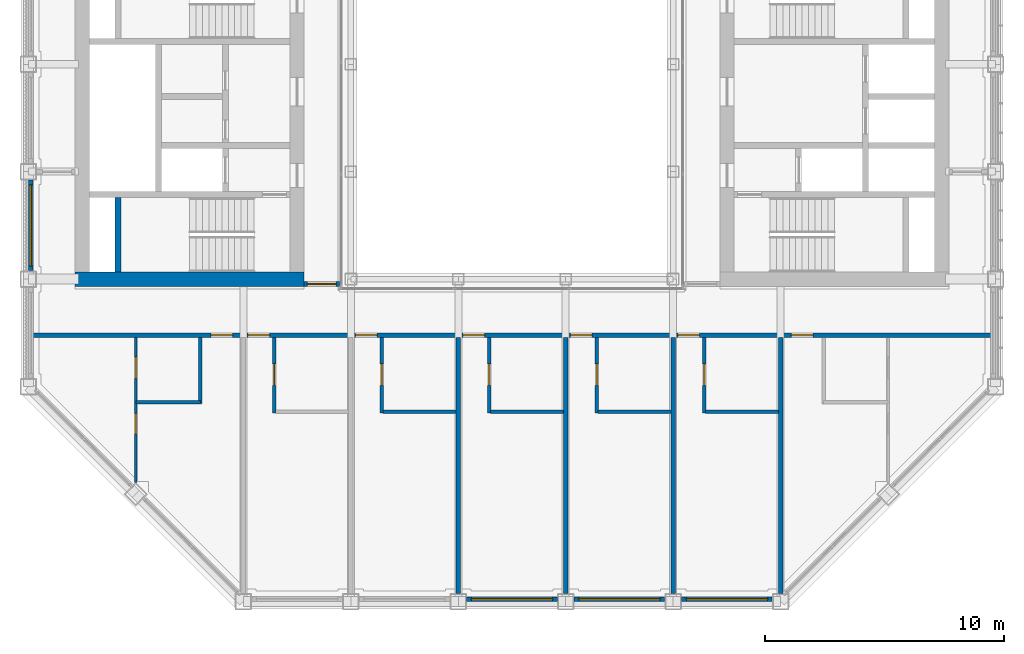
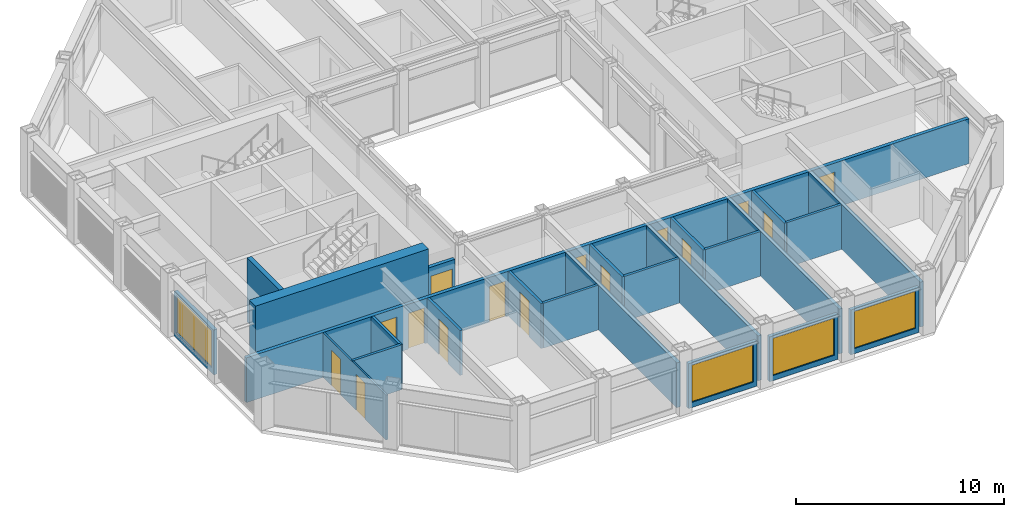
# One storey, part 9 of 18: 24 walls, 15 doors, 4 windows, 19 openings.
"""IFC4 building model written with IfcOpenShell, lengths in metres."""

from ifc_helpers import new_model, si_unit, direction, frame, frame_2d, origin, place, context, subcontext, project, spatial, rectangle, extrude, material, layer, layer_set, type_object, element, fill, save


model = new_model("IFC4")

# Units and contexts
model_context = context("Model", 3, precision=1e-05, world=origin(), true_north=direction((0.0, 1.0)))
body_context = subcontext(model_context, "Body", "Model", "MODEL_VIEW")
ifc_project = project(units=[si_unit("LENGTHUNIT", "METRE"), si_unit("AREAUNIT", "SQUARE_METRE"), si_unit("VOLUMEUNIT", "CUBIC_METRE"), si_unit("PLANEANGLEUNIT", "RADIAN"), si_unit("MASSUNIT", "GRAM", prefix="KILO")], contexts=[model_context])

# Site, building, storey
site_placement = place(None, origin())
site = spatial("IfcSite", under=ifc_project, at=site_placement, CompositionType="ELEMENT")
building_placement = place(site_placement, origin())
building = spatial("IfcBuilding", under=site, at=building_placement, Name="Msasa Ring Tower", CompositionType="ELEMENT")
storey_placement = place(building_placement, frame((0.0, 0.0, 200.800048828125)))
storey = spatial("IfcBuildingStorey", under=building, at=storey_placement, Name="L52", CompositionType="ELEMENT", Elevation=200.800048828125)

# Walls
ifc_material_1 = material(Name="Concrete C60/75", Category="concrete")
ifc_layer_1 = layer(ifc_material_1, 0.60009765625)
ifc_layer_set_1 = layer_set([ifc_layer_1], Name="CW3 CORE WALL 600")
wall_type_1 = type_object("IfcWallType", Name="CW3 CORE WALL 600", PredefinedType="SHEAR", material=ifc_layer_set_1)
wall_1_placement = place(storey_placement, frame((-8.699951171875, -6.75, 0.0), z_axis=(0.0, 0.0, 1.0), x_axis=(-1.0, 0.0, 0.0)))
element("IfcWall", 1, at=wall_1_placement, inside=storey, type_object=wall_type_1, Name="W core wall S L52", PredefinedType="SHEAR", context=body_context, shape_type="SweptSolid", body=[
    extrude(rectangle(XDim=9.60009765625, YDim=0.60009765625, at=frame_2d((4.800048828125, 0.0))), origin(), (0.0, 0.0, 1.0), 3.75),
])
ifc_material_2 = material(Name="Concrete C60/75", Category="concrete")
ifc_layer_2 = layer(ifc_material_2, 0.25)
ifc_layer_set_2 = layer_set([ifc_layer_2], Name="CW4 CORE INNER WALL 250")
wall_type_2 = type_object("IfcWallType", Name="CW4 CORE INNER WALL 250", PredefinedType="SHEAR", material=ifc_layer_set_2)
wall_2_placement = place(storey_placement, frame((-16.5, -6.449951171875, 0.0), z_axis=(0.0, 0.0, 1.0), x_axis=(0.0, 1.0, 0.0)))
element("IfcWall", 2, at=wall_2_placement, inside=storey, type_object=wall_type_2, Name="W core wall RISERA L52", PredefinedType="SHEAR", context=body_context, shape_type="SweptSolid", body=[
    extrude(rectangle(XDim=3.125, YDim=0.25, at=frame_2d((1.5625, 0.0))), origin(), (0.0, 0.0, 1.0), 3.75),
])

# Wall, opening, window
ifc_material_3 = material(Name="Terracotta rainscreen on blockwork", Category="masonry")
ifc_layer_3 = layer(ifc_material_3, 0.199951171875)
ifc_layer_set_3 = layer_set([ifc_layer_3], Name="FW1 TERRACOTTA-LINED INFILL BAY WALL 200")
wall_type_3 = type_object("IfcWallType", Name="FW1 TERRACOTTA-LINED INFILL BAY WALL 200", PredefinedType="SOLIDWALL", material=ifc_layer_set_3)
wall_3_placement = place(storey_placement, frame((-1.89501953125, -20.14990234375, 0.0), z_axis=(0.0, 0.0, 1.0), x_axis=(1.0, 0.0, 0.0)))
wall_3 = element("IfcWall", 3, at=wall_3_placement, inside=storey, type_object=wall_type_3, Name="Infill bay wall S L52 02", PredefinedType="SOLIDWALL", context=body_context, shape_type="SweptSolid", body=[
    extrude(rectangle(XDim=3.7900390625, YDim=0.199951171875, at=frame_2d((1.89501953125, 0.0))), origin(), (0.0, 0.0, 1.0), 2.62890625),
])
opening_1_placement = place(wall_3_placement, frame((0.195068359375, 0.0, 0.300048828125)))
opening_1 = element("IfcOpeningElement", 4, at=opening_1_placement, cuts=wall_3, Name="Opening WN3", PredefinedType="OPENING", context=body_context, shape_type="SweptSolid", body=[
    extrude(rectangle(XDim=3.39990234375, YDim=2.178955078125, at=frame_2d((1.699951171875, 1.08935546875))), frame((0.0, 0.10986328125, 0.0), z_axis=(0.0, -1.0, 0.0), x_axis=(1.0, 0.0, 0.0)), (0.0, 0.0, 1.0), 0.219970703125),
])
ifc_material_4 = material(Name="Aluminium frame with clear glass", Category="aluminium")
window_type = type_object("IfcWindowType", Name="WN3 SUITE WINDOW 3400x2179", PartitioningType="SINGLE_PANEL", PredefinedType="WINDOW", material=ifc_material_4)
window_1_placement = place(opening_1_placement, origin())
window_1 = element("IfcWindow", 5, at=window_1_placement, inside=storey, type_object=window_type, Name="Window S L52 02", OverallHeight=2.178955078125, OverallWidth=3.39990234375, PartitioningType="SINGLE_PANEL", PredefinedType="WINDOW", context=body_context, shape_type="SweptSolid", body=[
    extrude(rectangle(XDim=3.39990234375, YDim=2.178955078125, at=frame_2d((1.699951171875, 1.08935546875))), frame((0.0, 0.030029296875, 0.0), z_axis=(0.0, -1.0, 0.0), x_axis=(1.0, 0.0, 0.0)), (0.0, 0.0, 1.0), 0.06005859375),
])
fill(opening_1, window_1)

wall_4_placement = place(storey_placement, frame((2.60498046875, -20.14990234375, 0.0), z_axis=(0.0, 0.0, 1.0), x_axis=(1.0, 0.0, 0.0)))
wall_4 = element("IfcWall", 6, at=wall_4_placement, inside=storey, type_object=wall_type_3, Name="Infill bay wall S L52 03", PredefinedType="SOLIDWALL", context=body_context, shape_type="SweptSolid", body=[
    extrude(rectangle(XDim=3.7900390625, YDim=0.199951171875, at=frame_2d((1.89501953125, 0.0))), origin(), (0.0, 0.0, 1.0), 2.62890625),
])
opening_2_placement = place(wall_4_placement, frame((0.195068359375, 0.0, 0.300048828125)))
opening_2 = element("IfcOpeningElement", 7, at=opening_2_placement, cuts=wall_4, Name="Opening WN3", PredefinedType="OPENING", context=body_context, shape_type="SweptSolid", body=[
    extrude(rectangle(XDim=3.39990234375, YDim=2.178955078125, at=frame_2d((1.699951171875, 1.08935546875))), frame((0.0, 0.10986328125, 0.0), z_axis=(0.0, -1.0, 0.0), x_axis=(1.0, 0.0, 0.0)), (0.0, 0.0, 1.0), 0.219970703125),
])
window_2_placement = place(opening_2_placement, origin())
window_2 = element("IfcWindow", 8, at=window_2_placement, inside=storey, type_object=window_type, Name="Window S L52 03", OverallHeight=2.178955078125, OverallWidth=3.39990234375, PartitioningType="SINGLE_PANEL", PredefinedType="WINDOW", context=body_context, shape_type="SweptSolid", body=[
    extrude(rectangle(XDim=3.39990234375, YDim=2.178955078125, at=frame_2d((1.699951171875, 1.08935546875))), frame((0.0, 0.030029296875, 0.0), z_axis=(0.0, -1.0, 0.0), x_axis=(1.0, 0.0, 0.0)), (0.0, 0.0, 1.0), 0.06005859375),
])
fill(opening_2, window_2)

wall_5_placement = place(storey_placement, frame((7.10498046875, -20.14990234375, 0.0), z_axis=(0.0, 0.0, 1.0), x_axis=(1.0, 0.0, 0.0)))
wall_5 = element("IfcWall", 9, at=wall_5_placement, inside=storey, type_object=wall_type_3, Name="Infill bay wall S L52 04", PredefinedType="SOLIDWALL", context=body_context, shape_type="SweptSolid", body=[
    extrude(rectangle(XDim=3.7900390625, YDim=0.199951171875, at=frame_2d((1.89501953125, 0.0))), origin(), (0.0, 0.0, 1.0), 2.62890625),
])
opening_3_placement = place(wall_5_placement, frame((0.195068359375, 0.0, 0.300048828125)))
opening_3 = element("IfcOpeningElement", 10, at=opening_3_placement, cuts=wall_5, Name="Opening WN3", PredefinedType="OPENING", context=body_context, shape_type="SweptSolid", body=[
    extrude(rectangle(XDim=3.39990234375, YDim=2.178955078125, at=frame_2d((1.699951171875, 1.08935546875))), frame((0.0, 0.10986328125, 0.0), z_axis=(0.0, -1.0, 0.0), x_axis=(1.0, 0.0, 0.0)), (0.0, 0.0, 1.0), 0.219970703125),
])
window_3_placement = place(opening_3_placement, origin())
window_3 = element("IfcWindow", 11, at=window_3_placement, inside=storey, type_object=window_type, Name="Window S L52 04", OverallHeight=2.178955078125, OverallWidth=3.39990234375, PartitioningType="SINGLE_PANEL", PredefinedType="WINDOW", context=body_context, shape_type="SweptSolid", body=[
    extrude(rectangle(XDim=3.39990234375, YDim=2.178955078125, at=frame_2d((1.699951171875, 1.08935546875))), frame((0.0, 0.030029296875, 0.0), z_axis=(0.0, -1.0, 0.0), x_axis=(1.0, 0.0, 0.0)), (0.0, 0.0, 1.0), 0.06005859375),
])
fill(opening_3, window_3)

wall_6_placement = place(storey_placement, frame((-20.14990234375, -6.39501953125, 0.0), z_axis=(0.0, 0.0, 1.0), x_axis=(0.0, 1.0, 0.0)))
wall_6 = element("IfcWall", 12, at=wall_6_placement, inside=storey, type_object=wall_type_3, Name="Infill bay wall W L52 22", PredefinedType="SOLIDWALL", context=body_context, shape_type="SweptSolid", body=[
    extrude(rectangle(XDim=3.7900390625, YDim=0.199951171875, at=frame_2d((1.89501953125, 0.0))), origin(), (0.0, 0.0, 1.0), 2.62890625),
])
opening_4_placement = place(wall_6_placement, frame((0.195068359375, 0.0, 0.300048828125)))
opening_4 = element("IfcOpeningElement", 13, at=opening_4_placement, cuts=wall_6, Name="Opening WN3", PredefinedType="OPENING", context=body_context, shape_type="SweptSolid", body=[
    extrude(rectangle(XDim=3.39990234375, YDim=2.178955078125, at=frame_2d((1.699951171875, 1.08935546875))), frame((0.0, 0.10986328125, 0.0), z_axis=(0.0, -1.0, 0.0), x_axis=(1.0, 0.0, 0.0)), (0.0, 0.0, 1.0), 0.219970703125),
])
window_4_placement = place(opening_4_placement, origin())
window_4 = element("IfcWindow", 14, at=window_4_placement, inside=storey, type_object=window_type, Name="Window W L52 22", OverallHeight=2.178955078125, OverallWidth=3.39990234375, PartitioningType="SINGLE_PANEL", PredefinedType="WINDOW", context=body_context, shape_type="SweptSolid", body=[
    extrude(rectangle(XDim=3.39990234375, YDim=2.178955078125, at=frame_2d((1.699951171875, 1.08935546875))), frame((0.0, 0.030029296875, 0.0), z_axis=(0.0, -1.0, 0.0), x_axis=(1.0, 0.0, 0.0)), (0.0, 0.0, 1.0), 0.06005859375),
])
fill(opening_4, window_4)

# Wall, opening, door
ifc_material_5 = material(Name="Concrete blockwork", Category="masonry")
ifc_layer_4 = layer(ifc_material_5, 0.199951171875)
ifc_layer_set_4 = layer_set([ifc_layer_4], Name="PT1 CORRIDOR WALL 200")
wall_type_4 = type_object("IfcWallType", Name="PT1 CORRIDOR WALL 200", PredefinedType="PARTITIONING", material=ifc_layer_set_4)
wall_7_placement = place(storey_placement, frame((-8.699951171875, -6.949951171875, 0.0), z_axis=(0.0, 0.0, 1.0), x_axis=(1.0, 0.0, 0.0)))
wall_7 = element("IfcWall", 15, at=wall_7_placement, inside=storey, type_object=wall_type_4, Name="Corridor wall L52-SDWS", PredefinedType="PARTITIONING", context=body_context, shape_type="SweptSolid", body=[
    extrude(rectangle(XDim=1.469970703125, YDim=0.199951171875, at=frame_2d((0.73486328125, 0.0))), origin(), (0.0, 0.0, 1.0), 2.62890625),
])
opening_5_placement = place(wall_7_placement, frame((0.135009765625, 0.0, 0.0)))
opening_5 = element("IfcOpeningElement", 16, at=opening_5_placement, cuts=wall_7, Name="Opening SA-031", PredefinedType="OPENING", context=body_context, shape_type="SweptSolid", body=[
    extrude(rectangle(XDim=1.199951171875, YDim=2.10009765625, at=frame_2d((0.60009765625, 1.050048828125))), frame((0.0, 0.10986328125, 0.0), z_axis=(0.0, -1.0, 0.0), x_axis=(1.0, 0.0, 0.0)), (0.0, 0.0, 1.0), 0.219970703125),
])
ifc_material_6 = material(Name="Timber door leaf in a steel frame", Category="steel")
door_type_1 = type_object("IfcDoorType", Name="D25 CORRIDOR PAIR OF SMOKE DOORS 1200x2100", OperationType="DOUBLE_DOOR_DOUBLE_SWING", PredefinedType="DOOR", material=ifc_material_6)
door_1_placement = place(opening_5_placement, origin())
door_1 = element("IfcDoor", 17, at=door_1_placement, inside=storey, type_object=door_type_1, Name="Door L52-SDWS", OperationType="DOUBLE_DOOR_DOUBLE_SWING", OverallHeight=2.10009765625, OverallWidth=1.199951171875, PredefinedType="DOOR", context=body_context, shape_type="SweptSolid", body=[
    extrude(rectangle(XDim=1.199951171875, YDim=2.10009765625, at=frame_2d((0.60009765625, 1.050048828125))), frame((0.0, 0.02490234375, 0.0), z_axis=(0.0, -1.0, 0.0), x_axis=(1.0, 0.0, 0.0)), (0.0, 0.0, 1.0), 0.050048828125),
])
fill(opening_5, door_1)

# Wall, openings, doors
wall_8_placement = place(storey_placement, frame((-20.050048828125, -9.10009765625, 0.0), z_axis=(0.0, 0.0, 1.0), x_axis=(1.0, 0.0, 0.0)))
wall_8 = element("IfcWall", 18, at=wall_8_placement, inside=storey, type_object=wall_type_4, Name="Corridor wall L52-CORRS0", PredefinedType="PARTITIONING", context=body_context, shape_type="SweptSolid", body=[
    extrude(rectangle(XDim=40.10009765625, YDim=0.199951171875, at=frame_2d((20.050048828125, 0.0))), origin(), (0.0, 0.0, 1.0), 2.62890625),
])
opening_6_placement = place(wall_8_placement, frame((9.0, 0.0, 0.0)))
opening_6 = element("IfcOpeningElement", 19, at=opening_6_placement, cuts=wall_8, Name="Opening SA-034", PredefinedType="OPENING", context=body_context, shape_type="SweptSolid", body=[
    extrude(rectangle(XDim=0.89990234375, YDim=2.10009765625, at=frame_2d((0.449951171875, 1.050048828125))), frame((0.0, 0.10986328125, 0.0), z_axis=(0.0, -1.0, 0.0), x_axis=(1.0, 0.0, 0.0)), (0.0, 0.0, 1.0), 0.219970703125),
])
opening_7_placement = place(wall_8_placement, frame((13.5, 0.0, 0.0)))
opening_7 = element("IfcOpeningElement", 20, at=opening_7_placement, cuts=wall_8, Name="Opening SA-035", PredefinedType="OPENING", context=body_context, shape_type="SweptSolid", body=[
    extrude(rectangle(XDim=0.89990234375, YDim=2.10009765625, at=frame_2d((0.449951171875, 1.050048828125))), frame((0.0, 0.10986328125, 0.0), z_axis=(0.0, -1.0, 0.0), x_axis=(1.0, 0.0, 0.0)), (0.0, 0.0, 1.0), 0.219970703125),
])
opening_8_placement = place(wall_8_placement, frame((18.0, 0.0, 0.0)))
opening_8 = element("IfcOpeningElement", 21, at=opening_8_placement, cuts=wall_8, Name="Opening SA-036", PredefinedType="OPENING", context=body_context, shape_type="SweptSolid", body=[
    extrude(rectangle(XDim=0.89990234375, YDim=2.10009765625, at=frame_2d((0.449951171875, 1.050048828125))), frame((0.0, 0.10986328125, 0.0), z_axis=(0.0, -1.0, 0.0), x_axis=(1.0, 0.0, 0.0)), (0.0, 0.0, 1.0), 0.219970703125),
])
opening_9_placement = place(wall_8_placement, frame((22.5, 0.0, 0.0)))
opening_9 = element("IfcOpeningElement", 22, at=opening_9_placement, cuts=wall_8, Name="Opening SA-037", PredefinedType="OPENING", context=body_context, shape_type="SweptSolid", body=[
    extrude(rectangle(XDim=0.89990234375, YDim=2.10009765625, at=frame_2d((0.449951171875, 1.050048828125))), frame((0.0, 0.10986328125, 0.0), z_axis=(0.0, -1.0, 0.0), x_axis=(1.0, 0.0, 0.0)), (0.0, 0.0, 1.0), 0.219970703125),
])
opening_10_placement = place(wall_8_placement, frame((27.0, 0.0, 0.0)))
opening_10 = element("IfcOpeningElement", 23, at=opening_10_placement, cuts=wall_8, Name="Opening SA-038", PredefinedType="OPENING", context=body_context, shape_type="SweptSolid", body=[
    extrude(rectangle(XDim=0.89990234375, YDim=2.10009765625, at=frame_2d((0.449951171875, 1.050048828125))), frame((0.0, 0.10986328125, 0.0), z_axis=(0.0, -1.0, 0.0), x_axis=(1.0, 0.0, 0.0)), (0.0, 0.0, 1.0), 0.219970703125),
])
opening_11_placement = place(wall_8_placement, frame((31.75, 0.0, 0.0)))
opening_11 = element("IfcOpeningElement", 24, at=opening_11_placement, cuts=wall_8, Name="Opening SA-039", PredefinedType="OPENING", context=body_context, shape_type="SweptSolid", body=[
    extrude(rectangle(XDim=0.89990234375, YDim=2.10009765625, at=frame_2d((0.449951171875, 1.050048828125))), frame((0.0, 0.10986328125, 0.0), z_axis=(0.0, -1.0, 0.0), x_axis=(1.0, 0.0, 0.0)), (0.0, 0.0, 1.0), 0.219970703125),
])
opening_12_placement = place(wall_8_placement, frame((7.449951171875, 0.0, 0.0)))
opening_12 = element("IfcOpeningElement", 25, at=opening_12_placement, cuts=wall_8, Name="Opening SA-033", PredefinedType="OPENING", context=body_context, shape_type="SweptSolid", body=[
    extrude(rectangle(XDim=0.89990234375, YDim=2.10009765625, at=frame_2d((0.449951171875, 1.050048828125))), frame((0.0, 0.10986328125, 0.0), z_axis=(0.0, -1.0, 0.0), x_axis=(1.0, 0.0, 0.0)), (0.0, 0.0, 1.0), 0.219970703125),
])
ifc_material_7 = material(Name="Timber door leaf in a steel frame", Category="steel")
door_type_2 = type_object("IfcDoorType", Name="D1 SINGLE DOOR TO CORRIDOR 900x2100", OperationType="SINGLE_SWING_LEFT", PredefinedType="DOOR", material=ifc_material_7)
door_2_placement = place(opening_6_placement, origin())
door_2 = element("IfcDoor", 26, at=door_2_placement, inside=storey, type_object=door_type_2, Name="Door L52-JS00", OperationType="SINGLE_SWING_LEFT", OverallHeight=2.10009765625, OverallWidth=0.89990234375, PredefinedType="DOOR", context=body_context, shape_type="SweptSolid", body=[
    extrude(rectangle(XDim=0.89990234375, YDim=2.10009765625, at=frame_2d((0.449951171875, 1.050048828125))), frame((0.0, 0.02490234375, 0.0), z_axis=(0.0, -1.0, 0.0), x_axis=(1.0, 0.0, 0.0)), (0.0, 0.0, 1.0), 0.050048828125),
])
fill(opening_6, door_2)
door_3_placement = place(opening_7_placement, origin())
door_3 = element("IfcDoor", 27, at=door_3_placement, inside=storey, type_object=door_type_2, Name="Door L52-JS01", OperationType="SINGLE_SWING_LEFT", OverallHeight=2.10009765625, OverallWidth=0.89990234375, PredefinedType="DOOR", context=body_context, shape_type="SweptSolid", body=[
    extrude(rectangle(XDim=0.89990234375, YDim=2.10009765625, at=frame_2d((0.449951171875, 1.050048828125))), frame((0.0, 0.02490234375, 0.0), z_axis=(0.0, -1.0, 0.0), x_axis=(1.0, 0.0, 0.0)), (0.0, 0.0, 1.0), 0.050048828125),
])
fill(opening_7, door_3)
door_4_placement = place(opening_8_placement, origin())
door_4 = element("IfcDoor", 28, at=door_4_placement, inside=storey, type_object=door_type_2, Name="Door L52-JS02", OperationType="SINGLE_SWING_LEFT", OverallHeight=2.10009765625, OverallWidth=0.89990234375, PredefinedType="DOOR", context=body_context, shape_type="SweptSolid", body=[
    extrude(rectangle(XDim=0.89990234375, YDim=2.10009765625, at=frame_2d((0.449951171875, 1.050048828125))), frame((0.0, 0.02490234375, 0.0), z_axis=(0.0, -1.0, 0.0), x_axis=(1.0, 0.0, 0.0)), (0.0, 0.0, 1.0), 0.050048828125),
])
fill(opening_8, door_4)
door_5_placement = place(opening_9_placement, origin())
door_5 = element("IfcDoor", 29, at=door_5_placement, inside=storey, type_object=door_type_2, Name="Door L52-JS03", OperationType="SINGLE_SWING_RIGHT", OverallHeight=2.10009765625, OverallWidth=0.89990234375, PredefinedType="DOOR", context=body_context, shape_type="SweptSolid", body=[
    extrude(rectangle(XDim=0.89990234375, YDim=2.10009765625, at=frame_2d((0.449951171875, 1.050048828125))), frame((0.0, 0.02490234375, 0.0), z_axis=(0.0, -1.0, 0.0), x_axis=(1.0, 0.0, 0.0)), (0.0, 0.0, 1.0), 0.050048828125),
])
fill(opening_9, door_5)
door_6_placement = place(opening_10_placement, origin())
door_6 = element("IfcDoor", 30, at=door_6_placement, inside=storey, type_object=door_type_2, Name="Door L52-JS04", OperationType="SINGLE_SWING_RIGHT", OverallHeight=2.10009765625, OverallWidth=0.89990234375, PredefinedType="DOOR", context=body_context, shape_type="SweptSolid", body=[
    extrude(rectangle(XDim=0.89990234375, YDim=2.10009765625, at=frame_2d((0.449951171875, 1.050048828125))), frame((0.0, 0.02490234375, 0.0), z_axis=(0.0, -1.0, 0.0), x_axis=(1.0, 0.0, 0.0)), (0.0, 0.0, 1.0), 0.050048828125),
])
fill(opening_10, door_6)
ifc_material_8 = material(Name="Timber door leaf in a steel frame", Category="steel")
door_type_3 = type_object("IfcDoorType", Name="D2 ENTRANCE DOOR 900x2100", OperationType="SINGLE_SWING_LEFT", PredefinedType="DOOR", material=ifc_material_8)
door_7_placement = place(opening_11_placement, origin())
door_7 = element("IfcDoor", 31, at=door_7_placement, inside=storey, type_object=door_type_3, Name="Door L52-CSSE", OperationType="SINGLE_SWING_RIGHT", OverallHeight=2.10009765625, OverallWidth=0.89990234375, PredefinedType="DOOR", context=body_context, shape_type="SweptSolid", body=[
    extrude(rectangle(XDim=0.89990234375, YDim=2.10009765625, at=frame_2d((0.449951171875, 1.050048828125))), frame((0.0, 0.02490234375, 0.0), z_axis=(0.0, -1.0, 0.0), x_axis=(1.0, 0.0, 0.0)), (0.0, 0.0, 1.0), 0.050048828125),
])
fill(opening_11, door_7)
door_8_placement = place(opening_12_placement, origin())
door_8 = element("IfcDoor", 32, at=door_8_placement, inside=storey, type_object=door_type_3, Name="Door L52-CSSW", OperationType="SINGLE_SWING_LEFT", OverallHeight=2.10009765625, OverallWidth=0.89990234375, PredefinedType="DOOR", context=body_context, shape_type="SweptSolid", body=[
    extrude(rectangle(XDim=0.89990234375, YDim=2.10009765625, at=frame_2d((0.449951171875, 1.050048828125))), frame((0.0, 0.02490234375, 0.0), z_axis=(0.0, -1.0, 0.0), x_axis=(1.0, 0.0, 0.0)), (0.0, 0.0, 1.0), 0.050048828125),
])
fill(opening_12, door_8)

ifc_material_9 = material(Name="Gypsum board on steel studs", Category="steel")
ifc_layer_5 = layer(ifc_material_9, 0.10009765625)
ifc_layer_set_5 = layer_set([ifc_layer_5], Name="PT2 STUD PARTITION 100")
wall_type_5 = type_object("IfcWallType", Name="PT2 STUD PARTITION 100", PredefinedType="PARTITIONING", material=ifc_layer_set_5)
wall_9_placement = place(storey_placement, frame((-15.75, -15.2548828125, 0.0), z_axis=(0.0, 0.0, 1.0), x_axis=(0.0, 1.0, 0.0)))
wall_9 = element("IfcWall", 33, at=wall_9_placement, inside=storey, type_object=wall_type_5, Name="Partition L52-CSSWP1", PredefinedType="PARTITIONING", context=body_context, shape_type="SweptSolid", body=[
    extrude(rectangle(XDim=6.054931640625, YDim=0.10009765625, at=frame_2d((3.02734375, 0.0))), origin(), (0.0, 0.0, 1.0), 2.62890625),
])
opening_13_placement = place(wall_9_placement, frame((2.030029296875, 0.0, 0.0)))
opening_13 = element("IfcOpeningElement", 34, at=opening_13_placement, cuts=wall_9, Name="Opening SA-047", PredefinedType="OPENING", context=body_context, shape_type="SweptSolid", body=[
    extrude(rectangle(XDim=0.85009765625, YDim=2.10009765625, at=frame_2d((0.425048828125, 1.050048828125))), frame((0.0, 0.06005859375, 0.0), z_axis=(0.0, -1.0, 0.0), x_axis=(1.0, 0.0, 0.0)), (0.0, 0.0, 1.0), 0.1201171875),
])
opening_14_placement = place(wall_9_placement, frame((4.35498046875, 0.0, 0.0)))
opening_14 = element("IfcOpeningElement", 35, at=opening_14_placement, cuts=wall_9, Name="Opening SA-040", PredefinedType="OPENING", context=body_context, shape_type="SweptSolid", body=[
    extrude(rectangle(XDim=0.89990234375, YDim=2.10009765625, at=frame_2d((0.449951171875, 1.050048828125))), frame((0.0, 0.06005859375, 0.0), z_axis=(0.0, -1.0, 0.0), x_axis=(1.0, 0.0, 0.0)), (0.0, 0.0, 1.0), 0.1201171875),
])
ifc_material_10 = material(Name="Timber door leaf in a steel frame", Category="steel")
door_type_4 = type_object("IfcDoorType", Name="D14 BEDROOM DOOR 850x2100", OperationType="SINGLE_SWING_LEFT", PredefinedType="DOOR", material=ifc_material_10)
door_9_placement = place(opening_13_placement, origin())
door_9 = element("IfcDoor", 36, at=door_9_placement, inside=storey, type_object=door_type_4, Name="Door L52-CSSWR1", OperationType="SINGLE_SWING_LEFT", OverallHeight=2.10009765625, OverallWidth=0.85009765625, PredefinedType="DOOR", context=body_context, shape_type="SweptSolid", body=[
    extrude(rectangle(XDim=0.85009765625, YDim=2.10009765625, at=frame_2d((0.425048828125, 1.050048828125))), frame((0.0, 0.02490234375, 0.0), z_axis=(0.0, -1.0, 0.0), x_axis=(1.0, 0.0, 0.0)), (0.0, 0.0, 1.0), 0.050048828125),
])
fill(opening_13, door_9)
ifc_material_11 = material(Name="Timber door leaf in a steel frame", Category="steel")
door_type_5 = type_object("IfcDoorType", Name="D3 BATHROOM DOOR 900x2100", OperationType="SINGLE_SWING_LEFT", PredefinedType="DOOR", material=ifc_material_11)
door_10_placement = place(opening_14_placement, origin())
door_10 = element("IfcDoor", 37, at=door_10_placement, inside=storey, type_object=door_type_5, Name="Door L52-CSSWB1", OperationType="SINGLE_SWING_RIGHT", OverallHeight=2.10009765625, OverallWidth=0.89990234375, PredefinedType="DOOR", context=body_context, shape_type="SweptSolid", body=[
    extrude(rectangle(XDim=0.89990234375, YDim=2.10009765625, at=frame_2d((0.449951171875, 1.050048828125))), frame((0.0, 0.02490234375, 0.0), z_axis=(0.0, -1.0, 0.0), x_axis=(1.0, 0.0, 0.0)), (0.0, 0.0, 1.0), 0.050048828125),
])
fill(opening_14, door_10)

# Walls
ifc_material_12 = material(Name="Dense concrete blockwork, plastered both faces", Category="masonry")
ifc_layer_6 = layer(ifc_material_12, 0.25)
ifc_layer_set_6 = layer_set([ifc_layer_6], Name="PT3 APARTMENT SEPARATING WALL 250")
wall_type_6 = type_object("IfcWallType", Name="PT3 APARTMENT SEPARATING WALL 250", PredefinedType="PARTITIONING", material=ifc_layer_set_6)
for number, where, z_axis, x_axis, name in (
    (38, (-2.25, -19.89990234375, 0.0), (0.0, 0.0, 1.0), (0.0, 1.0, 0.0), "Party wall L52-PWS-2.25"),
    (39, (2.25, -19.89990234375, 0.0), (0.0, 0.0, 1.0), (0.0, 1.0, 0.0), "Party wall L52-PWS+2.25"),
    (40, (6.75, -19.89990234375, 0.0), (0.0, 0.0, 1.0), (0.0, 1.0, 0.0), "Party wall L52-PWS+6.75"),
    (41, (11.25, -19.89990234375, 0.0), (0.0, 0.0, 1.0), (0.0, 1.0, 0.0), "Party wall L52-PWS+11.25"),
):
    element("IfcWall", number, at=place(storey_placement, frame(where, z_axis=z_axis, x_axis=x_axis)), inside=storey, type_object=wall_type_6, Name=name, PredefinedType="PARTITIONING", context=body_context, shape_type="SweptSolid", body=[
        extrude(rectangle(XDim=10.699951171875, YDim=0.199951171875, at=frame_2d((5.35009765625, 0.0))), origin(), (0.0, 0.0, 1.0), 2.62890625),
    ])

# Wall, opening, door
ifc_material_13 = material(Name="Moisture-resistant board on steel studs with a concealed cistern and pipe void, tiled", Category="steel")
ifc_layer_7 = layer(ifc_material_13, 0.14990234375)
ifc_layer_set_7 = layer_set([ifc_layer_7], Name="PT4 BATHROOM WET WALL 150")
wall_type_7 = type_object("IfcWallType", Name="PT4 BATHROOM WET WALL 150", PredefinedType="PARTITIONING", material=ifc_layer_set_7)
wall_10_placement = place(storey_placement, frame((-9.949951171875, -12.35009765625, 0.0), z_axis=(0.0, 0.0, 1.0), x_axis=(0.0, 1.0, 0.0)))
wall_10 = element("IfcWall", 42, at=wall_10_placement, inside=storey, type_object=wall_type_7, Name="Partition L52-JS00BX", PredefinedType="PARTITIONING", context=body_context, shape_type="SweptSolid", body=[
    extrude(rectangle(XDim=3.150146484375, YDim=0.14990234375, at=frame_2d((1.5751953125, 0.0))), origin(), (0.0, 0.0, 1.0), 2.62890625),
])
opening_15_placement = place(wall_10_placement, frame((1.14990234375, 0.0, 0.0)))
opening_15 = element("IfcOpeningElement", 43, at=opening_15_placement, cuts=wall_10, Name="Opening SA-042", PredefinedType="OPENING", context=body_context, shape_type="SweptSolid", body=[
    extrude(rectangle(XDim=0.89990234375, YDim=2.10009765625, at=frame_2d((0.449951171875, 1.050048828125))), frame((0.0, 0.0849609375, 0.0), z_axis=(0.0, -1.0, 0.0), x_axis=(1.0, 0.0, 0.0)), (0.0, 0.0, 1.0), 0.169921875),
])
door_11_placement = place(opening_15_placement, origin())
door_11 = element("IfcDoor", 44, at=door_11_placement, inside=storey, type_object=door_type_5, Name="Door L52-JS00B", OperationType="SINGLE_SWING_LEFT", OverallHeight=2.10009765625, OverallWidth=0.89990234375, PredefinedType="DOOR", context=body_context, shape_type="SweptSolid", body=[
    extrude(rectangle(XDim=0.89990234375, YDim=2.10009765625, at=frame_2d((0.449951171875, 1.050048828125))), frame((0.0, 0.02490234375, 0.0), z_axis=(0.0, -1.0, 0.0), x_axis=(1.0, 0.0, 0.0)), (0.0, 0.0, 1.0), 0.050048828125),
])
fill(opening_15, door_11)

wall_11_placement = place(storey_placement, frame((-5.449951171875, -12.35009765625, 0.0), z_axis=(0.0, 0.0, 1.0), x_axis=(0.0, 1.0, 0.0)))
wall_11 = element("IfcWall", 45, at=wall_11_placement, inside=storey, type_object=wall_type_7, Name="Partition L52-JS01BX", PredefinedType="PARTITIONING", context=body_context, shape_type="SweptSolid", body=[
    extrude(rectangle(XDim=3.150146484375, YDim=0.14990234375, at=frame_2d((1.5751953125, 0.0))), origin(), (0.0, 0.0, 1.0), 2.62890625),
])
opening_16_placement = place(wall_11_placement, frame((1.14990234375, 0.0, 0.0)))
opening_16 = element("IfcOpeningElement", 46, at=opening_16_placement, cuts=wall_11, Name="Opening SA-043", PredefinedType="OPENING", context=body_context, shape_type="SweptSolid", body=[
    extrude(rectangle(XDim=0.89990234375, YDim=2.10009765625, at=frame_2d((0.449951171875, 1.050048828125))), frame((0.0, 0.0849609375, 0.0), z_axis=(0.0, -1.0, 0.0), x_axis=(1.0, 0.0, 0.0)), (0.0, 0.0, 1.0), 0.169921875),
])
door_12_placement = place(opening_16_placement, origin())
door_12 = element("IfcDoor", 47, at=door_12_placement, inside=storey, type_object=door_type_5, Name="Door L52-JS01B", OperationType="SINGLE_SWING_LEFT", OverallHeight=2.10009765625, OverallWidth=0.89990234375, PredefinedType="DOOR", context=body_context, shape_type="SweptSolid", body=[
    extrude(rectangle(XDim=0.89990234375, YDim=2.10009765625, at=frame_2d((0.449951171875, 1.050048828125))), frame((0.0, 0.02490234375, 0.0), z_axis=(0.0, -1.0, 0.0), x_axis=(1.0, 0.0, 0.0)), (0.0, 0.0, 1.0), 0.050048828125),
])
fill(opening_16, door_12)

# Wall
wall_12_placement = place(storey_placement, frame((-5.39990234375, -12.300048828125, 0.0), z_axis=(0.0, 0.0, 1.0), x_axis=(1.0, 0.0, 0.0)))
element("IfcWall", 48, at=wall_12_placement, inside=storey, type_object=wall_type_7, Name="Partition L52-JS01BY", PredefinedType="PARTITIONING", context=body_context, shape_type="SweptSolid", body=[
    extrude(rectangle(XDim=3.0498046875, YDim=0.14990234375, at=frame_2d((1.52490234375, 0.0))), origin(), (0.0, 0.0, 1.0), 2.62890625),
])

# Wall, opening, door
wall_13_placement = place(storey_placement, frame((-0.949951171875, -12.35009765625, 0.0), z_axis=(0.0, 0.0, 1.0), x_axis=(0.0, 1.0, 0.0)))
wall_13 = element("IfcWall", 49, at=wall_13_placement, inside=storey, type_object=wall_type_7, Name="Partition L52-JS02BX", PredefinedType="PARTITIONING", context=body_context, shape_type="SweptSolid", body=[
    extrude(rectangle(XDim=3.150146484375, YDim=0.14990234375, at=frame_2d((1.5751953125, 0.0))), origin(), (0.0, 0.0, 1.0), 2.62890625),
])
opening_17_placement = place(wall_13_placement, frame((1.14990234375, 0.0, 0.0)))
opening_17 = element("IfcOpeningElement", 50, at=opening_17_placement, cuts=wall_13, Name="Opening SA-044", PredefinedType="OPENING", context=body_context, shape_type="SweptSolid", body=[
    extrude(rectangle(XDim=0.89990234375, YDim=2.10009765625, at=frame_2d((0.449951171875, 1.050048828125))), frame((0.0, 0.0849609375, 0.0), z_axis=(0.0, -1.0, 0.0), x_axis=(1.0, 0.0, 0.0)), (0.0, 0.0, 1.0), 0.169921875),
])
door_13_placement = place(opening_17_placement, origin())
door_13 = element("IfcDoor", 51, at=door_13_placement, inside=storey, type_object=door_type_5, Name="Door L52-JS02B", OperationType="SINGLE_SWING_LEFT", OverallHeight=2.10009765625, OverallWidth=0.89990234375, PredefinedType="DOOR", context=body_context, shape_type="SweptSolid", body=[
    extrude(rectangle(XDim=0.89990234375, YDim=2.10009765625, at=frame_2d((0.449951171875, 1.050048828125))), frame((0.0, 0.02490234375, 0.0), z_axis=(0.0, -1.0, 0.0), x_axis=(1.0, 0.0, 0.0)), (0.0, 0.0, 1.0), 0.050048828125),
])
fill(opening_17, door_13)

# Wall
wall_14_placement = place(storey_placement, frame((-0.89990234375, -12.300048828125, 0.0), z_axis=(0.0, 0.0, 1.0), x_axis=(1.0, 0.0, 0.0)))
element("IfcWall", 52, at=wall_14_placement, inside=storey, type_object=wall_type_7, Name="Partition L52-JS02BY", PredefinedType="PARTITIONING", context=body_context, shape_type="SweptSolid", body=[
    extrude(rectangle(XDim=3.0498046875, YDim=0.14990234375, at=frame_2d((1.52490234375, 0.0))), origin(), (0.0, 0.0, 1.0), 2.62890625),
])

# Wall, opening, door
wall_15_placement = place(storey_placement, frame((3.550048828125, -12.35009765625, 0.0), z_axis=(0.0, 0.0, 1.0), x_axis=(0.0, 1.0, 0.0)))
wall_15 = element("IfcWall", 53, at=wall_15_placement, inside=storey, type_object=wall_type_7, Name="Partition L52-JS03BX", PredefinedType="PARTITIONING", context=body_context, shape_type="SweptSolid", body=[
    extrude(rectangle(XDim=3.150146484375, YDim=0.14990234375, at=frame_2d((1.5751953125, 0.0))), origin(), (0.0, 0.0, 1.0), 2.62890625),
])
opening_18_placement = place(wall_15_placement, frame((1.14990234375, 0.0, 0.0)))
opening_18 = element("IfcOpeningElement", 54, at=opening_18_placement, cuts=wall_15, Name="Opening SA-045", PredefinedType="OPENING", context=body_context, shape_type="SweptSolid", body=[
    extrude(rectangle(XDim=0.89990234375, YDim=2.10009765625, at=frame_2d((0.449951171875, 1.050048828125))), frame((0.0, 0.0849609375, 0.0), z_axis=(0.0, -1.0, 0.0), x_axis=(1.0, 0.0, 0.0)), (0.0, 0.0, 1.0), 0.169921875),
])
door_14_placement = place(opening_18_placement, origin())
door_14 = element("IfcDoor", 55, at=door_14_placement, inside=storey, type_object=door_type_5, Name="Door L52-JS03B", OperationType="SINGLE_SWING_LEFT", OverallHeight=2.10009765625, OverallWidth=0.89990234375, PredefinedType="DOOR", context=body_context, shape_type="SweptSolid", body=[
    extrude(rectangle(XDim=0.89990234375, YDim=2.10009765625, at=frame_2d((0.449951171875, 1.050048828125))), frame((0.0, 0.02490234375, 0.0), z_axis=(0.0, -1.0, 0.0), x_axis=(1.0, 0.0, 0.0)), (0.0, 0.0, 1.0), 0.050048828125),
])
fill(opening_18, door_14)

# Wall
wall_16_placement = place(storey_placement, frame((3.60009765625, -12.300048828125, 0.0), z_axis=(0.0, 0.0, 1.0), x_axis=(1.0, 0.0, 0.0)))
element("IfcWall", 56, at=wall_16_placement, inside=storey, type_object=wall_type_7, Name="Partition L52-JS03BY", PredefinedType="PARTITIONING", context=body_context, shape_type="SweptSolid", body=[
    extrude(rectangle(XDim=3.0498046875, YDim=0.14990234375, at=frame_2d((1.52490234375, 0.0))), origin(), (0.0, 0.0, 1.0), 2.62890625),
])

# Wall, opening, door
wall_17_placement = place(storey_placement, frame((8.050048828125, -12.35009765625, 0.0), z_axis=(0.0, 0.0, 1.0), x_axis=(0.0, 1.0, 0.0)))
wall_17 = element("IfcWall", 57, at=wall_17_placement, inside=storey, type_object=wall_type_7, Name="Partition L52-JS04BX", PredefinedType="PARTITIONING", context=body_context, shape_type="SweptSolid", body=[
    extrude(rectangle(XDim=3.150146484375, YDim=0.14990234375, at=frame_2d((1.5751953125, 0.0))), origin(), (0.0, 0.0, 1.0), 2.62890625),
])
opening_19_placement = place(wall_17_placement, frame((1.14990234375, 0.0, 0.0)))
opening_19 = element("IfcOpeningElement", 58, at=opening_19_placement, cuts=wall_17, Name="Opening SA-046", PredefinedType="OPENING", context=body_context, shape_type="SweptSolid", body=[
    extrude(rectangle(XDim=0.89990234375, YDim=2.10009765625, at=frame_2d((0.449951171875, 1.050048828125))), frame((0.0, 0.0849609375, 0.0), z_axis=(0.0, -1.0, 0.0), x_axis=(1.0, 0.0, 0.0)), (0.0, 0.0, 1.0), 0.169921875),
])
door_15_placement = place(opening_19_placement, origin())
door_15 = element("IfcDoor", 59, at=door_15_placement, inside=storey, type_object=door_type_5, Name="Door L52-JS04B", OperationType="SINGLE_SWING_LEFT", OverallHeight=2.10009765625, OverallWidth=0.89990234375, PredefinedType="DOOR", context=body_context, shape_type="SweptSolid", body=[
    extrude(rectangle(XDim=0.89990234375, YDim=2.10009765625, at=frame_2d((0.449951171875, 1.050048828125))), frame((0.0, 0.02490234375, 0.0), z_axis=(0.0, -1.0, 0.0), x_axis=(1.0, 0.0, 0.0)), (0.0, 0.0, 1.0), 0.050048828125),
])
fill(opening_19, door_15)

# Walls
wall_18_placement = place(storey_placement, frame((8.10009765625, -12.300048828125, 0.0), z_axis=(0.0, 0.0, 1.0), x_axis=(1.0, 0.0, 0.0)))
element("IfcWall", 60, at=wall_18_placement, inside=storey, type_object=wall_type_7, Name="Partition L52-JS04BY", PredefinedType="PARTITIONING", context=body_context, shape_type="SweptSolid", body=[
    extrude(rectangle(XDim=3.0498046875, YDim=0.14990234375, at=frame_2d((1.52490234375, 0.0))), origin(), (0.0, 0.0, 1.0), 2.62890625),
])
wall_19_placement = place(storey_placement, frame((-13.050048828125, -11.949951171875, 0.0), z_axis=(0.0, 0.0, 1.0), x_axis=(0.0, 1.0, 0.0)))
element("IfcWall", 61, at=wall_19_placement, inside=storey, type_object=wall_type_7, Name="Partition L52-CSSWBX", PredefinedType="PARTITIONING", context=body_context, shape_type="SweptSolid", body=[
    extrude(rectangle(XDim=2.75, YDim=0.14990234375, at=frame_2d((1.375, 0.0))), origin(), (0.0, 0.0, 1.0), 2.62890625),
])
wall_20_placement = place(storey_placement, frame((-15.75, -11.89990234375, 0.0), z_axis=(0.0, 0.0, 1.0), x_axis=(1.0, 0.0, 0.0)))
element("IfcWall", 62, at=wall_20_placement, inside=storey, type_object=wall_type_7, Name="Partition L52-CSSWBY", PredefinedType="PARTITIONING", context=body_context, shape_type="SweptSolid", body=[
    extrude(rectangle(XDim=2.699951171875, YDim=0.14990234375, at=frame_2d((1.35009765625, 0.0))), origin(), (0.0, 0.0, 1.0), 2.62890625),
])

save(model, "model.ifc")
